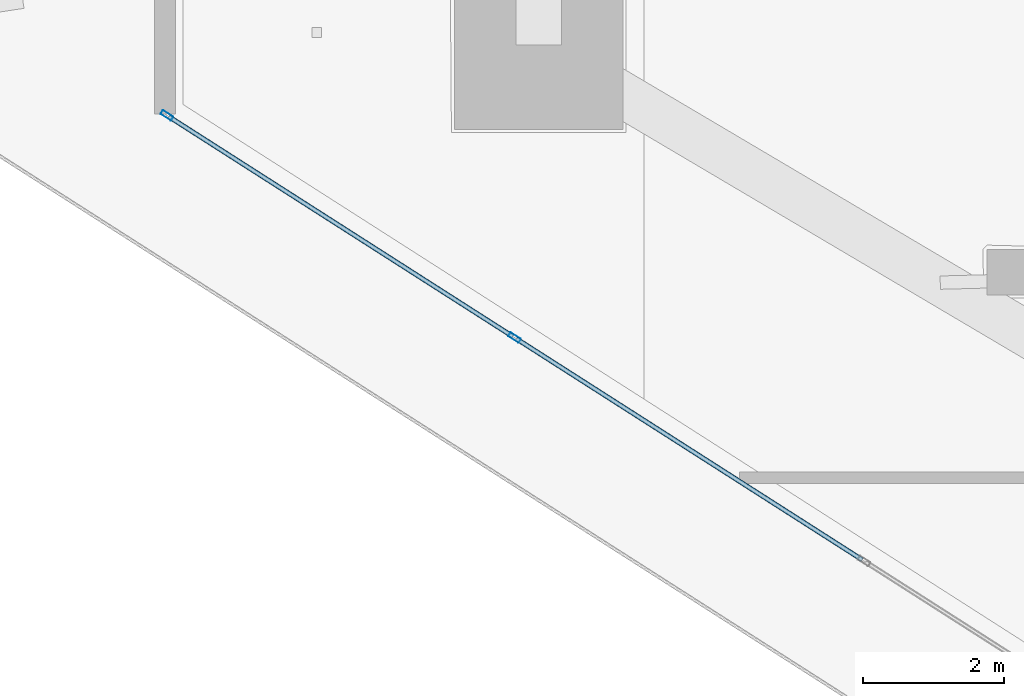
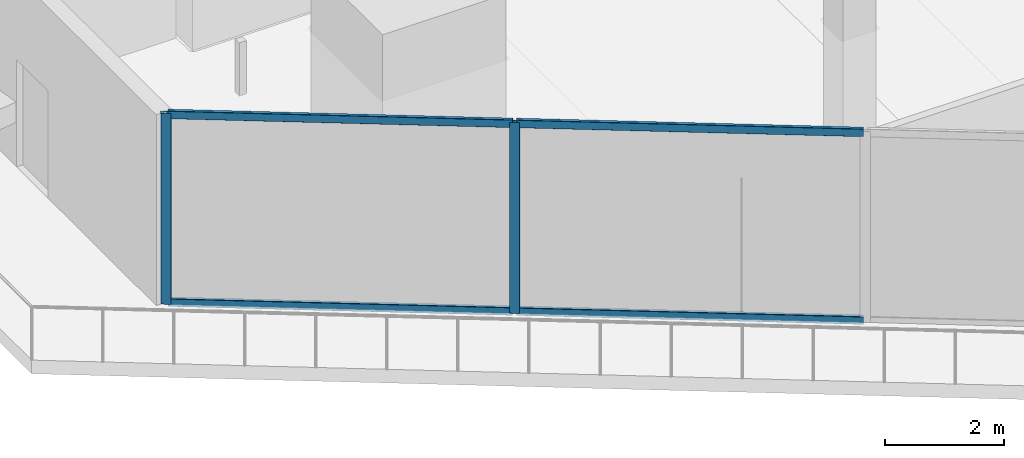
# One storey, part 4 of 44: 6 members, 1 element without a shape of its own.
"""IFC4 building model written with IfcOpenShell, lengths in metres."""

from ifc_helpers import new_model, si_unit, direction, frame, origin, origin_2d, place, context, subcontext, project, spatial, hollow_rectangle, extrude, material, layer, layer_set, material_profile, profile_set, type_object, element, aggregate, save


model = new_model("IFC4")

# Units and contexts
model_context = context("Model", 3, precision=1e-05, world=origin(), true_north=direction((0.0, 1.0)))
body_context = subcontext(model_context, "Body", "Model", "MODEL_VIEW")
ifc_project = project(units=[si_unit("LENGTHUNIT", "METRE"), si_unit("AREAUNIT", "SQUARE_METRE"), si_unit("VOLUMEUNIT", "CUBIC_METRE"), si_unit("PLANEANGLEUNIT", "RADIAN"), si_unit("MASSUNIT", "GRAM", prefix="KILO")], contexts=[model_context])

# Site, building, storey
site_placement = place(None, origin())
site = spatial("IfcSite", under=ifc_project, at=site_placement, CompositionType="ELEMENT")
building_placement = place(site_placement, origin())
building = spatial("IfcBuilding", under=site, at=building_placement, Name="Qorvath Tower", CompositionType="ELEMENT")
storey_placement = place(building_placement, frame((0.0, 0.0, 45.0)))
storey = spatial("IfcBuildingStorey", under=building, at=storey_placement, Name="L09", CompositionType="ELEMENT", Elevation=45.0)

# Curtain wall, members
ifc_material_1 = material(Name="Anodised aluminium and triple low-E glass", Category="aluminium")
ifc_layer = layer(ifc_material_1, 0.179931640625)
ifc_layer_set = layer_set([ifc_layer], Name="CW-SYS-2")
curtain_wall_type = type_object("IfcCurtainWallType", Name="CW-SYS-2", PredefinedType="NOTDEFINED", material=ifc_layer_set)
curtain_wall_placement = place(storey_placement, origin())
curtain_wall = element("IfcCurtainWall", 1, at=curtain_wall_placement, inside=storey, type_object=curtain_wall_type, Name="Curtain Wall CW-2 CW-T-L09-2.1", PredefinedType="NOTDEFINED")
ifc_material_2 = material(Name="Anodised aluminium 6063-T6", Category="aluminium")
ifc_material_profile_1 = material_profile(ifc_material_2, hollow_rectangle(XDim=0.06494140625, YDim=0.179931640625, WallThickness=0.00341796875, InnerFilletRadius=0.00341796875, OuterFilletRadius=0.007080078125, at=origin_2d()), Name="CWM 180x65")
ifc_profile_set_1 = profile_set([ifc_material_profile_1], Name="Anodised aluminium 6063-T6")
member_type_1 = type_object("IfcMemberType", Name="CWM-180", PredefinedType="MULLION", material=ifc_profile_set_1)
member_1_placement = place(storey_placement, frame((-60.57373046875, -4.193603515625, 0.0), z_axis=(0.0, 0.0, 1.0), x_axis=(0.538531853978, 0.842605152044, 0.0)))
member_1 = element("IfcMember", 2, at=member_1_placement, type_object=member_type_1, Name="CW-2 mullion 1", PredefinedType="MULLION", context=body_context, shape_type="SweptSolid", body=[
    extrude(hollow_rectangle(XDim=0.06494140625, YDim=0.179931640625, WallThickness=0.00341796875, InnerFilletRadius=0.00341796875, OuterFilletRadius=0.007080078125, at=origin_2d()), origin(), (0.0, 0.0, 1.0), 3.919921875),
])
member_2_placement = place(storey_placement, frame((-55.62646484375, -7.35546875, 0.0), z_axis=(0.0, 0.0, 1.0), x_axis=(0.538531853978, 0.842605152044, 0.0)))
member_2 = element("IfcMember", 3, at=member_2_placement, type_object=member_type_1, Name="CW-2 mullion 2", PredefinedType="MULLION", context=body_context, shape_type="SweptSolid", body=[
    extrude(hollow_rectangle(XDim=0.06494140625, YDim=0.179931640625, WallThickness=0.00341796875, InnerFilletRadius=0.00341796875, OuterFilletRadius=0.007080078125, at=origin_2d()), origin(), (0.0, 0.0, 1.0), 3.919921875),
])
ifc_material_3 = material(Name="Anodised aluminium 6063-T6", Category="aluminium")
ifc_material_profile_2 = material_profile(ifc_material_3, hollow_rectangle(XDim=0.06494140625, YDim=0.159912109375, WallThickness=0.00341796875, InnerFilletRadius=0.00341796875, OuterFilletRadius=0.007080078125, at=origin_2d()), Name="CWT 160x65")
ifc_profile_set_2 = profile_set([ifc_material_profile_2], Name="Anodised aluminium 6063-T6")
member_type_2 = type_object("IfcMemberType", Name="CWT-160", PredefinedType="USERDEFINED", material=ifc_profile_set_2)
member_3_placement = place(storey_placement, frame((-60.54638671875, -4.2109375, 0.032470703125), z_axis=(0.842607225398, -0.538528609925, 0.0), x_axis=(0.538528609925, 0.842607225398, 0.0)))
member_3 = element("IfcMember", 4, at=member_3_placement, type_object=member_type_2, Name="CW-2 transom 1.1", ObjectType="TRANSOM", PredefinedType="USERDEFINED", context=body_context, shape_type="SweptSolid", body=[
    extrude(hollow_rectangle(XDim=0.06494140625, YDim=0.159912109375, WallThickness=0.00341796875, InnerFilletRadius=0.00341796875, OuterFilletRadius=0.007080078125, at=origin_2d()), origin(), (0.0, 0.0, 1.0), 5.806396484375),
])
member_4_placement = place(storey_placement, frame((-60.54638671875, -4.2109375, 3.887451171875), z_axis=(0.842607225398, -0.538528609925, 0.0), x_axis=(0.538528609925, 0.842607225398, 0.0)))
member_4 = element("IfcMember", 5, at=member_4_placement, type_object=member_type_2, Name="CW-2 transom 1.2", ObjectType="TRANSOM", PredefinedType="USERDEFINED", context=body_context, shape_type="SweptSolid", body=[
    extrude(hollow_rectangle(XDim=0.06494140625, YDim=0.159912109375, WallThickness=0.00341796875, InnerFilletRadius=0.00341796875, OuterFilletRadius=0.007080078125, at=origin_2d()), origin(), (0.0, 0.0, 1.0), 5.806396484375),
])
member_5_placement = place(storey_placement, frame((-55.59912109375, -7.373046875, 0.032470703125), z_axis=(0.842618260885, -0.538511342891, 0.0), x_axis=(0.538511342891, 0.842618260885, 0.0)))
member_5 = element("IfcMember", 6, at=member_5_placement, type_object=member_type_2, Name="CW-2 transom 2.1", ObjectType="TRANSOM", PredefinedType="USERDEFINED", context=body_context, shape_type="SweptSolid", body=[
    extrude(hollow_rectangle(XDim=0.06494140625, YDim=0.159912109375, WallThickness=0.00341796875, InnerFilletRadius=0.00341796875, OuterFilletRadius=0.007080078125, at=origin_2d()), origin(), (0.0, 0.0, 1.0), 5.8388671875),
])
member_6_placement = place(storey_placement, frame((-55.59912109375, -7.373046875, 3.887451171875), z_axis=(0.842618260885, -0.538511342891, 0.0), x_axis=(0.538511342891, 0.842618260885, 0.0)))
member_6 = element("IfcMember", 7, at=member_6_placement, type_object=member_type_2, Name="CW-2 transom 2.2", ObjectType="TRANSOM", PredefinedType="USERDEFINED", context=body_context, shape_type="SweptSolid", body=[
    extrude(hollow_rectangle(XDim=0.06494140625, YDim=0.159912109375, WallThickness=0.00341796875, InnerFilletRadius=0.00341796875, OuterFilletRadius=0.007080078125, at=origin_2d()), origin(), (0.0, 0.0, 1.0), 5.8388671875),
])
aggregate(curtain_wall, [member_1, member_2, member_3, member_4, member_5, member_6])

save(model, "model.ifc")
